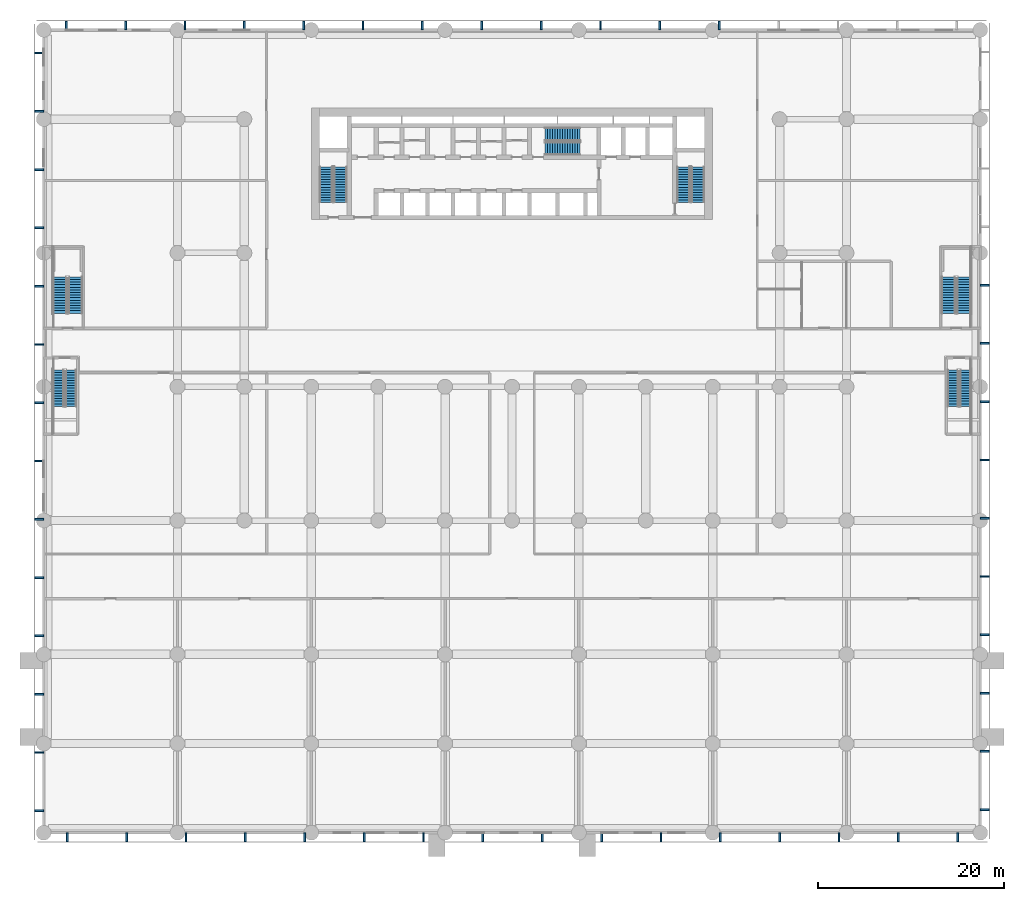
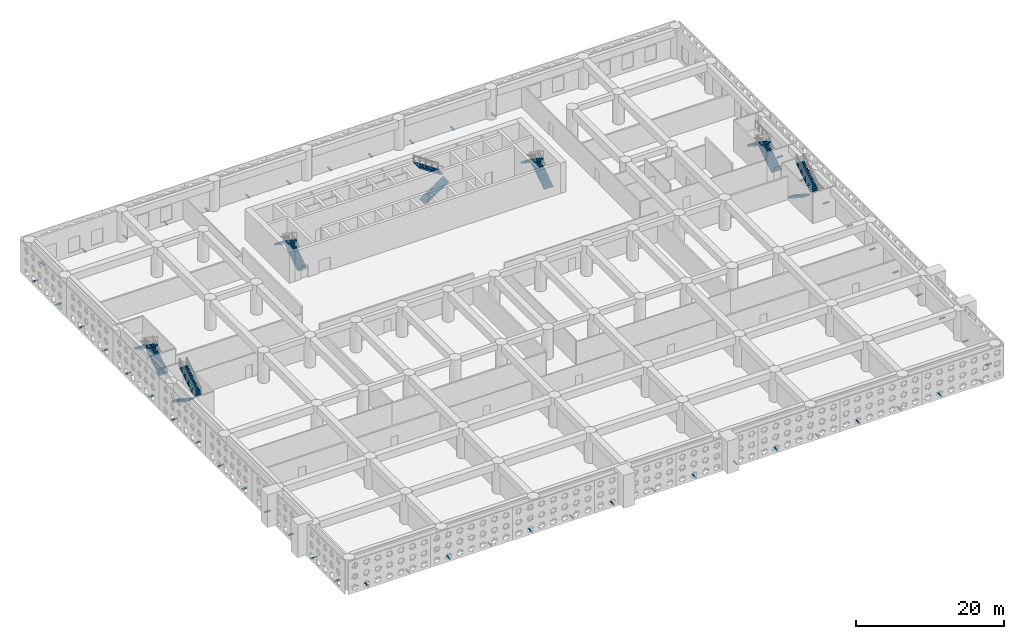
# One storey, part 11 of 30: 52 discrete accessories, 14 stair flights, 7 elements without a shape of their own.
"""IFC4 building model written with IfcOpenShell, lengths in metres."""

from ifc_helpers import new_model, si_unit, direction, frame, origin, origin_2d, place, context, subcontext, project, spatial, polyline, rectangle, outline, extrude, source, transform, mapped, material, layer, layer_set, type_object, element, aggregate, save


model = new_model("IFC4")

# Units and contexts
model_context = context("Model", 3, precision=1e-05, world=origin(), true_north=direction((0.0, 1.0)))
body_context = subcontext(model_context, "Body", "Model", "MODEL_VIEW")
ifc_project = project(units=[si_unit("LENGTHUNIT", "METRE"), si_unit("AREAUNIT", "SQUARE_METRE"), si_unit("VOLUMEUNIT", "CUBIC_METRE"), si_unit("PLANEANGLEUNIT", "RADIAN"), si_unit("MASSUNIT", "GRAM", prefix="KILO")], contexts=[model_context])

# Site, building, storey
site_placement = place(None, origin())
site = spatial("IfcSite", under=ifc_project, at=site_placement, CompositionType="ELEMENT")
building_placement = place(site_placement, origin())
building = spatial("IfcBuilding", under=site, at=building_placement, Name="Saffron Iwan Residences", CompositionType="ELEMENT")
storey_placement = place(building_placement, frame((0.0, 0.0, 7.800048828125)))
storey = spatial("IfcBuildingStorey", under=building, at=storey_placement, Name="L01", CompositionType="ELEMENT", Elevation=7.800048828125)

# Stair, stair flights
ifc_material_1 = material(Name="Concrete C40/50", Category="concrete")
stair_type_1 = type_object("IfcStairType", Name="Podium stair, reinforced concrete", PredefinedType="HALF_TURN_STAIR", material=ifc_material_1)
stair_1_placement = place(storey_placement, origin())
stair_1 = element("IfcStair", 1, at=stair_1_placement, inside=storey, type_object=stair_type_1, Name="L01 Podium Stair 1", PredefinedType="HALF_TURN_STAIR")
stair_flight_type_1 = type_object("IfcStairFlightType", Name="Podium stair flight, reinforced concrete", PredefinedType="STRAIGHT", material=ifc_material_1)
stair_flight_1_placement = place(storey_placement, frame((1.60009765625, 49.800048828125, 0.0), z_axis=(0.0, 0.0, 1.0), x_axis=(0.0, -1.0, 0.0)))
stair_flight_1 = element("IfcStairFlight", 2, at=stair_flight_1_placement, type_object=stair_flight_type_1, Name="PS1 flight 1", NumberOfRisers=15, NumberOfTreads=14, PredefinedType="STRAIGHT", RiserHeight=0.18, TreadLength=0.28, context=body_context, shape_type="SweptSolid", body=[
    extrude(outline(polyline([(0.0, 0.0), (0.0, 0.179931640625), (0.280029296875, 0.179931640625), (0.280029296875, 0.360107421875), (0.56005859375, 0.360107421875), (0.56005859375, 0.5400390625), (0.840087890625, 0.5400390625), (0.840087890625, 0.719970703125), (1.1201171875, 0.719970703125), (1.1201171875, 0.89990234375), (1.39990234375, 0.89990234375), (1.39990234375, 1.080078125), (1.679931640625, 1.080078125), (1.679931640625, 1.260009765625), (1.9599609375, 1.260009765625), (1.9599609375, 1.43994140625), (2.239990234375, 1.43994140625), (2.239990234375, 1.6201171875), (2.52001953125, 1.6201171875), (2.52001953125, 1.800048828125), (2.800048828125, 1.800048828125), (2.800048828125, 1.97998046875), (3.080078125, 1.97998046875), (3.080078125, 2.159912109375), (3.360107421875, 2.159912109375), (3.360107421875, 2.340087890625), (3.639892578125, 2.340087890625), (3.639892578125, 2.52001953125), (3.919921875, 2.52001953125), (3.919921875, 2.699951171875), (3.919921875, 2.341796875), (0.277099609375, 0.0), (0.0, 0.0)])), frame((0.0, 0.60009765625, 0.0), z_axis=(0.0, -1.0, 0.0), x_axis=(1.0, 0.0, 0.0)), (0.0, 0.0, 1.0), 1.199951171875),
])
stair_flight_2_placement = place(storey_placement, frame((2.949951171875, 45.8798828125, 2.699951171875), z_axis=(0.0, 0.0, 1.0), x_axis=(0.0, 1.0, 0.0)))
stair_flight_2 = element("IfcStairFlight", 3, at=stair_flight_2_placement, type_object=stair_flight_type_1, Name="PS1 flight 2", NumberOfRisers=15, NumberOfTreads=14, PredefinedType="STRAIGHT", RiserHeight=0.18, TreadLength=0.28, context=body_context, shape_type="SweptSolid", body=[
    extrude(outline(polyline([(0.0, 0.0), (0.0, 0.179931640625), (0.280029296875, 0.179931640625), (0.280029296875, 0.360107421875), (0.56005859375, 0.360107421875), (0.56005859375, 0.5400390625), (0.840087890625, 0.5400390625), (0.840087890625, 0.719970703125), (1.1201171875, 0.719970703125), (1.1201171875, 0.89990234375), (1.39990234375, 0.89990234375), (1.39990234375, 1.080078125), (1.679931640625, 1.080078125), (1.679931640625, 1.260009765625), (1.9599609375, 1.260009765625), (1.9599609375, 1.43994140625), (2.239990234375, 1.43994140625), (2.239990234375, 1.6201171875), (2.52001953125, 1.6201171875), (2.52001953125, 1.800048828125), (2.800048828125, 1.800048828125), (2.800048828125, 1.97998046875), (3.080078125, 1.97998046875), (3.080078125, 2.159912109375), (3.360107421875, 2.159912109375), (3.360107421875, 2.340087890625), (3.639892578125, 2.340087890625), (3.639892578125, 2.52001953125), (3.919921875, 2.52001953125), (3.919921875, 2.699951171875), (3.919921875, 2.341796875), (0.277099609375, 0.0), (0.0, 0.0)])), frame((0.0, 0.60009765625, 0.0), z_axis=(0.0, -1.0, 0.0), x_axis=(1.0, 0.0, 0.0)), (0.0, 0.0, 1.0), 1.199951171875),
])
aggregate(stair_1, [stair_flight_1, stair_flight_2])

stair_2_placement = place(storey_placement, origin())
stair_2 = element("IfcStair", 4, at=stair_2_placement, inside=storey, type_object=stair_type_1, Name="L01 Podium Stair 2", PredefinedType="HALF_TURN_STAIR")
stair_flight_3_placement = place(storey_placement, frame((97.85009765625, 49.800048828125, 0.0), z_axis=(0.0, 0.0, 1.0), x_axis=(0.0, -1.0, 0.0)))
stair_flight_3 = element("IfcStairFlight", 5, at=stair_flight_3_placement, type_object=stair_flight_type_1, Name="PS2 flight 1", NumberOfRisers=15, NumberOfTreads=14, PredefinedType="STRAIGHT", RiserHeight=0.18, TreadLength=0.28, context=body_context, shape_type="SweptSolid", body=[
    extrude(outline(polyline([(0.0, 0.0), (0.0, 0.179931640625), (0.280029296875, 0.179931640625), (0.280029296875, 0.360107421875), (0.56005859375, 0.360107421875), (0.56005859375, 0.5400390625), (0.840087890625, 0.5400390625), (0.840087890625, 0.719970703125), (1.1201171875, 0.719970703125), (1.1201171875, 0.89990234375), (1.39990234375, 0.89990234375), (1.39990234375, 1.080078125), (1.679931640625, 1.080078125), (1.679931640625, 1.260009765625), (1.9599609375, 1.260009765625), (1.9599609375, 1.43994140625), (2.239990234375, 1.43994140625), (2.239990234375, 1.6201171875), (2.52001953125, 1.6201171875), (2.52001953125, 1.800048828125), (2.800048828125, 1.800048828125), (2.800048828125, 1.97998046875), (3.080078125, 1.97998046875), (3.080078125, 2.159912109375), (3.360107421875, 2.159912109375), (3.360107421875, 2.340087890625), (3.639892578125, 2.340087890625), (3.639892578125, 2.52001953125), (3.919921875, 2.52001953125), (3.919921875, 2.699951171875), (3.919921875, 2.341796875), (0.277099609375, 0.0), (0.0, 0.0)])), frame((0.0, 0.60009765625, 0.0), z_axis=(0.0, -1.0, 0.0), x_axis=(1.0, 0.0, 0.0)), (0.0, 0.0, 1.0), 1.199951171875),
])
stair_flight_4_placement = place(storey_placement, frame((99.199951171875, 45.8798828125, 2.699951171875), z_axis=(0.0, 0.0, 1.0), x_axis=(0.0, 1.0, 0.0)))
stair_flight_4 = element("IfcStairFlight", 6, at=stair_flight_4_placement, type_object=stair_flight_type_1, Name="PS2 flight 2", NumberOfRisers=15, NumberOfTreads=14, PredefinedType="STRAIGHT", RiserHeight=0.18, TreadLength=0.28, context=body_context, shape_type="SweptSolid", body=[
    extrude(outline(polyline([(0.0, 0.0), (0.0, 0.179931640625), (0.280029296875, 0.179931640625), (0.280029296875, 0.360107421875), (0.56005859375, 0.360107421875), (0.56005859375, 0.5400390625), (0.840087890625, 0.5400390625), (0.840087890625, 0.719970703125), (1.1201171875, 0.719970703125), (1.1201171875, 0.89990234375), (1.39990234375, 0.89990234375), (1.39990234375, 1.080078125), (1.679931640625, 1.080078125), (1.679931640625, 1.260009765625), (1.9599609375, 1.260009765625), (1.9599609375, 1.43994140625), (2.239990234375, 1.43994140625), (2.239990234375, 1.6201171875), (2.52001953125, 1.6201171875), (2.52001953125, 1.800048828125), (2.800048828125, 1.800048828125), (2.800048828125, 1.97998046875), (3.080078125, 1.97998046875), (3.080078125, 2.159912109375), (3.360107421875, 2.159912109375), (3.360107421875, 2.340087890625), (3.639892578125, 2.340087890625), (3.639892578125, 2.52001953125), (3.919921875, 2.52001953125), (3.919921875, 2.699951171875), (3.919921875, 2.341796875), (0.277099609375, 0.0), (0.0, 0.0)])), frame((0.0, 0.60009765625, 0.0), z_axis=(0.0, -1.0, 0.0), x_axis=(1.0, 0.0, 0.0)), (0.0, 0.0, 1.0), 1.199951171875),
])
aggregate(stair_2, [stair_flight_3, stair_flight_4])

stair_3_placement = place(storey_placement, origin())
stair_3 = element("IfcStair", 7, at=stair_3_placement, inside=storey, type_object=stair_type_1, Name="L01 Podium Stair 3", PredefinedType="HALF_TURN_STAIR")
stair_flight_5_placement = place(storey_placement, frame((3.39990234375, 55.89990234375, 0.0), z_axis=(0.0, 0.0, 1.0), x_axis=(0.0, 1.0, 0.0)))
stair_flight_5 = element("IfcStairFlight", 8, at=stair_flight_5_placement, type_object=stair_flight_type_1, Name="PS3 flight 1", NumberOfRisers=15, NumberOfTreads=14, PredefinedType="STRAIGHT", RiserHeight=0.18, TreadLength=0.28, context=body_context, shape_type="SweptSolid", body=[
    extrude(outline(polyline([(0.0, 0.0), (0.0, 0.179931640625), (0.280029296875, 0.179931640625), (0.280029296875, 0.360107421875), (0.56005859375, 0.360107421875), (0.56005859375, 0.5400390625), (0.840087890625, 0.5400390625), (0.840087890625, 0.719970703125), (1.1201171875, 0.719970703125), (1.1201171875, 0.89990234375), (1.39990234375, 0.89990234375), (1.39990234375, 1.080078125), (1.679931640625, 1.080078125), (1.679931640625, 1.260009765625), (1.9599609375, 1.260009765625), (1.9599609375, 1.43994140625), (2.239990234375, 1.43994140625), (2.239990234375, 1.6201171875), (2.52001953125, 1.6201171875), (2.52001953125, 1.800048828125), (2.800048828125, 1.800048828125), (2.800048828125, 1.97998046875), (3.080078125, 1.97998046875), (3.080078125, 2.159912109375), (3.360107421875, 2.159912109375), (3.360107421875, 2.340087890625), (3.639892578125, 2.340087890625), (3.639892578125, 2.52001953125), (3.919921875, 2.52001953125), (3.919921875, 2.699951171875), (3.919921875, 2.341796875), (0.277099609375, 0.0), (0.0, 0.0)])), frame((0.0, 0.75, 0.0), z_axis=(0.0, -1.0, 0.0), x_axis=(1.0, 0.0, 0.0)), (0.0, 0.0, 1.0), 1.5),
])
stair_flight_6_placement = place(storey_placement, frame((1.75, 59.820068359375, 2.699951171875), z_axis=(0.0, 0.0, 1.0), x_axis=(0.0, -1.0, 0.0)))
stair_flight_6 = element("IfcStairFlight", 9, at=stair_flight_6_placement, type_object=stair_flight_type_1, Name="PS3 flight 2", NumberOfRisers=15, NumberOfTreads=14, PredefinedType="STRAIGHT", RiserHeight=0.18, TreadLength=0.28, context=body_context, shape_type="SweptSolid", body=[
    extrude(outline(polyline([(0.0, 0.0), (0.0, 0.179931640625), (0.280029296875, 0.179931640625), (0.280029296875, 0.360107421875), (0.56005859375, 0.360107421875), (0.56005859375, 0.5400390625), (0.840087890625, 0.5400390625), (0.840087890625, 0.719970703125), (1.1201171875, 0.719970703125), (1.1201171875, 0.89990234375), (1.39990234375, 0.89990234375), (1.39990234375, 1.080078125), (1.679931640625, 1.080078125), (1.679931640625, 1.260009765625), (1.9599609375, 1.260009765625), (1.9599609375, 1.43994140625), (2.239990234375, 1.43994140625), (2.239990234375, 1.6201171875), (2.52001953125, 1.6201171875), (2.52001953125, 1.800048828125), (2.800048828125, 1.800048828125), (2.800048828125, 1.97998046875), (3.080078125, 1.97998046875), (3.080078125, 2.159912109375), (3.360107421875, 2.159912109375), (3.360107421875, 2.340087890625), (3.639892578125, 2.340087890625), (3.639892578125, 2.52001953125), (3.919921875, 2.52001953125), (3.919921875, 2.699951171875), (3.919921875, 2.341796875), (0.277099609375, 0.0), (0.0, 0.0)])), frame((0.0, 0.75, 0.0), z_axis=(0.0, -1.0, 0.0), x_axis=(1.0, 0.0, 0.0)), (0.0, 0.0, 1.0), 1.5),
])
aggregate(stair_3, [stair_flight_5, stair_flight_6])

stair_4_placement = place(storey_placement, origin())
stair_4 = element("IfcStair", 10, at=stair_4_placement, inside=storey, type_object=stair_type_1, Name="L01 Podium Stair 4", PredefinedType="HALF_TURN_STAIR")
stair_flight_7_placement = place(storey_placement, frame((99.050048828125, 55.89990234375, 0.0), z_axis=(0.0, 0.0, 1.0), x_axis=(0.0, 1.0, 0.0)))
stair_flight_7 = element("IfcStairFlight", 11, at=stair_flight_7_placement, type_object=stair_flight_type_1, Name="PS4 flight 1", NumberOfRisers=15, NumberOfTreads=14, PredefinedType="STRAIGHT", RiserHeight=0.18, TreadLength=0.28, context=body_context, shape_type="SweptSolid", body=[
    extrude(outline(polyline([(0.0, 0.0), (0.0, 0.179931640625), (0.280029296875, 0.179931640625), (0.280029296875, 0.360107421875), (0.56005859375, 0.360107421875), (0.56005859375, 0.5400390625), (0.840087890625, 0.5400390625), (0.840087890625, 0.719970703125), (1.1201171875, 0.719970703125), (1.1201171875, 0.89990234375), (1.39990234375, 0.89990234375), (1.39990234375, 1.080078125), (1.679931640625, 1.080078125), (1.679931640625, 1.260009765625), (1.9599609375, 1.260009765625), (1.9599609375, 1.43994140625), (2.239990234375, 1.43994140625), (2.239990234375, 1.6201171875), (2.52001953125, 1.6201171875), (2.52001953125, 1.800048828125), (2.800048828125, 1.800048828125), (2.800048828125, 1.97998046875), (3.080078125, 1.97998046875), (3.080078125, 2.159912109375), (3.360107421875, 2.159912109375), (3.360107421875, 2.340087890625), (3.639892578125, 2.340087890625), (3.639892578125, 2.52001953125), (3.919921875, 2.52001953125), (3.919921875, 2.699951171875), (3.919921875, 2.341796875), (0.277099609375, 0.0), (0.0, 0.0)])), frame((0.0, 0.75, 0.0), z_axis=(0.0, -1.0, 0.0), x_axis=(1.0, 0.0, 0.0)), (0.0, 0.0, 1.0), 1.5),
])
stair_flight_8_placement = place(storey_placement, frame((97.39990234375, 59.820068359375, 2.699951171875), z_axis=(0.0, 0.0, 1.0), x_axis=(0.0, -1.0, 0.0)))
stair_flight_8 = element("IfcStairFlight", 12, at=stair_flight_8_placement, type_object=stair_flight_type_1, Name="PS4 flight 2", NumberOfRisers=15, NumberOfTreads=14, PredefinedType="STRAIGHT", RiserHeight=0.18, TreadLength=0.28, context=body_context, shape_type="SweptSolid", body=[
    extrude(outline(polyline([(0.0, 0.0), (0.0, 0.179931640625), (0.280029296875, 0.179931640625), (0.280029296875, 0.360107421875), (0.56005859375, 0.360107421875), (0.56005859375, 0.5400390625), (0.840087890625, 0.5400390625), (0.840087890625, 0.719970703125), (1.1201171875, 0.719970703125), (1.1201171875, 0.89990234375), (1.39990234375, 0.89990234375), (1.39990234375, 1.080078125), (1.679931640625, 1.080078125), (1.679931640625, 1.260009765625), (1.9599609375, 1.260009765625), (1.9599609375, 1.43994140625), (2.239990234375, 1.43994140625), (2.239990234375, 1.6201171875), (2.52001953125, 1.6201171875), (2.52001953125, 1.800048828125), (2.800048828125, 1.800048828125), (2.800048828125, 1.97998046875), (3.080078125, 1.97998046875), (3.080078125, 2.159912109375), (3.360107421875, 2.159912109375), (3.360107421875, 2.340087890625), (3.639892578125, 2.340087890625), (3.639892578125, 2.52001953125), (3.919921875, 2.52001953125), (3.919921875, 2.699951171875), (3.919921875, 2.341796875), (0.277099609375, 0.0), (0.0, 0.0)])), frame((0.0, 0.75, 0.0), z_axis=(0.0, -1.0, 0.0), x_axis=(1.0, 0.0, 0.0)), (0.0, 0.0, 1.0), 1.5),
])
aggregate(stair_4, [stair_flight_7, stair_flight_8])

ifc_material_2 = material(Name="Concrete C50/60", Category="concrete")
stair_type_2 = type_object("IfcStairType", Name="Stair ST-CORE", PredefinedType="HALF_TURN_STAIR", material=ifc_material_2)
stair_5_placement = place(storey_placement, origin())
stair_5 = element("IfcStair", 13, at=stair_5_placement, inside=storey, type_object=stair_type_2, Name="L01 Exit Stair ST-W", PredefinedType="HALF_TURN_STAIR")
ifc_layer = layer(ifc_material_2, 0.14990234375)
ifc_layer_set = layer_set([ifc_layer], Name="Concrete C50/60")
stair_flight_type_2 = type_object("IfcStairFlightType", Name="Stair flight SFL-RC", PredefinedType="STRAIGHT", material=ifc_layer_set)
stair_flight_9_placement = place(storey_placement, frame((31.949951171875, 67.85009765625, 0.0), z_axis=(0.0, 0.0, 1.0), x_axis=(0.0, 1.0, 0.0)))
stair_flight_9 = element("IfcStairFlight", 14, at=stair_flight_9_placement, type_object=stair_flight_type_2, Name="ST-W flight 1", NumberOfRisers=15, NumberOfTreads=14, PredefinedType="STRAIGHT", RiserHeight=0.18, TreadLength=0.27, context=body_context, shape_type="SweptSolid", body=[
    extrude(outline(polyline([(0.0, 0.0), (0.0, 0.179931640625), (0.27001953125, 0.179931640625), (0.27001953125, 0.360107421875), (0.5400390625, 0.360107421875), (0.5400390625, 0.5400390625), (0.81005859375, 0.5400390625), (0.81005859375, 0.719970703125), (1.080078125, 0.719970703125), (1.080078125, 0.89990234375), (1.35009765625, 0.89990234375), (1.35009765625, 1.080078125), (1.6201171875, 1.080078125), (1.6201171875, 1.260009765625), (1.889892578125, 1.260009765625), (1.889892578125, 1.43994140625), (2.159912109375, 1.43994140625), (2.159912109375, 1.6201171875), (2.429931640625, 1.6201171875), (2.429931640625, 1.800048828125), (2.699951171875, 1.800048828125), (2.699951171875, 1.97998046875), (2.969970703125, 1.97998046875), (2.969970703125, 2.159912109375), (3.239990234375, 2.159912109375), (3.239990234375, 2.340087890625), (3.510009765625, 2.340087890625), (3.510009765625, 2.52001953125), (3.780029296875, 2.52001953125), (3.780029296875, 2.699951171875), (3.780029296875, 2.33984375), (0.270263671875, 0.0), (0.0, 0.0)])), frame((0.0, 0.699951171875, 0.0), z_axis=(0.0, -1.0, 0.0), x_axis=(1.0, 0.0, 0.0)), (0.0, 0.0, 1.0), 1.39990234375),
])
stair_flight_10_placement = place(storey_placement, frame((30.39990234375, 71.6298828125, 2.699951171875), z_axis=(0.0, 0.0, 1.0), x_axis=(0.0, -1.0, 0.0)))
stair_flight_10 = element("IfcStairFlight", 15, at=stair_flight_10_placement, type_object=stair_flight_type_2, Name="ST-W flight 2", NumberOfRisers=15, NumberOfTreads=14, PredefinedType="STRAIGHT", RiserHeight=0.18, TreadLength=0.27, context=body_context, shape_type="SweptSolid", body=[
    extrude(outline(polyline([(0.0, 0.0), (0.0, 0.179931640625), (0.27001953125, 0.179931640625), (0.27001953125, 0.360107421875), (0.5400390625, 0.360107421875), (0.5400390625, 0.5400390625), (0.81005859375, 0.5400390625), (0.81005859375, 0.719970703125), (1.080078125, 0.719970703125), (1.080078125, 0.89990234375), (1.35009765625, 0.89990234375), (1.35009765625, 1.080078125), (1.6201171875, 1.080078125), (1.6201171875, 1.260009765625), (1.889892578125, 1.260009765625), (1.889892578125, 1.43994140625), (2.159912109375, 1.43994140625), (2.159912109375, 1.6201171875), (2.429931640625, 1.6201171875), (2.429931640625, 1.800048828125), (2.699951171875, 1.800048828125), (2.699951171875, 1.97998046875), (2.969970703125, 1.97998046875), (2.969970703125, 2.159912109375), (3.239990234375, 2.159912109375), (3.239990234375, 2.340087890625), (3.510009765625, 2.340087890625), (3.510009765625, 2.52001953125), (3.780029296875, 2.52001953125), (3.780029296875, 2.699951171875), (3.780029296875, 2.33984375), (0.270263671875, 0.0), (0.0, 0.0)])), frame((0.0, 0.699951171875, 0.0), z_axis=(0.0, -1.0, 0.0), x_axis=(1.0, 0.0, 0.0)), (0.0, 0.0, 1.0), 1.39990234375),
])
aggregate(stair_5, [stair_flight_9, stair_flight_10])

stair_6_placement = place(storey_placement, origin())
stair_6 = element("IfcStair", 16, at=stair_6_placement, inside=storey, type_object=stair_type_2, Name="L01 Exit Stair ST-C", PredefinedType="HALF_TURN_STAIR")
stair_flight_11_placement = place(storey_placement, frame((53.925048828125, 73.625, 0.0), z_axis=(0.0, 0.0, 1.0), x_axis=(1.0, 0.0, 0.0)))
stair_flight_11 = element("IfcStairFlight", 17, at=stair_flight_11_placement, type_object=stair_flight_type_2, Name="ST-C flight 1", NumberOfRisers=15, NumberOfTreads=14, PredefinedType="STRAIGHT", RiserHeight=0.18, TreadLength=0.27, context=body_context, shape_type="SweptSolid", body=[
    extrude(outline(polyline([(0.0, 0.0), (0.0, 0.179931640625), (0.27001953125, 0.179931640625), (0.27001953125, 0.360107421875), (0.5400390625, 0.360107421875), (0.5400390625, 0.5400390625), (0.81005859375, 0.5400390625), (0.81005859375, 0.719970703125), (1.080078125, 0.719970703125), (1.080078125, 0.89990234375), (1.35009765625, 0.89990234375), (1.35009765625, 1.080078125), (1.6201171875, 1.080078125), (1.6201171875, 1.260009765625), (1.889892578125, 1.260009765625), (1.889892578125, 1.43994140625), (2.159912109375, 1.43994140625), (2.159912109375, 1.6201171875), (2.429931640625, 1.6201171875), (2.429931640625, 1.800048828125), (2.699951171875, 1.800048828125), (2.699951171875, 1.97998046875), (2.969970703125, 1.97998046875), (2.969970703125, 2.159912109375), (3.239990234375, 2.159912109375), (3.239990234375, 2.340087890625), (3.510009765625, 2.340087890625), (3.510009765625, 2.52001953125), (3.780029296875, 2.52001953125), (3.780029296875, 2.699951171875), (3.780029296875, 2.33984375), (0.270263671875, 0.0), (0.0, 0.0)])), frame((0.0, 0.699951171875, 0.0), z_axis=(0.0, -1.0, 0.0), x_axis=(1.0, 0.0, 0.0)), (0.0, 0.0, 1.0), 1.39990234375),
])
stair_flight_12_placement = place(storey_placement, frame((57.705078125, 75.175048828125, 2.699951171875), z_axis=(0.0, 0.0, 1.0), x_axis=(-1.0, 0.0, 0.0)))
stair_flight_12 = element("IfcStairFlight", 18, at=stair_flight_12_placement, type_object=stair_flight_type_2, Name="ST-C flight 2", NumberOfRisers=15, NumberOfTreads=14, PredefinedType="STRAIGHT", RiserHeight=0.18, TreadLength=0.27, context=body_context, shape_type="SweptSolid", body=[
    extrude(outline(polyline([(0.0, 0.0), (0.0, 0.179931640625), (0.27001953125, 0.179931640625), (0.27001953125, 0.360107421875), (0.5400390625, 0.360107421875), (0.5400390625, 0.5400390625), (0.81005859375, 0.5400390625), (0.81005859375, 0.719970703125), (1.080078125, 0.719970703125), (1.080078125, 0.89990234375), (1.35009765625, 0.89990234375), (1.35009765625, 1.080078125), (1.6201171875, 1.080078125), (1.6201171875, 1.260009765625), (1.889892578125, 1.260009765625), (1.889892578125, 1.43994140625), (2.159912109375, 1.43994140625), (2.159912109375, 1.6201171875), (2.429931640625, 1.6201171875), (2.429931640625, 1.800048828125), (2.699951171875, 1.800048828125), (2.699951171875, 1.97998046875), (2.969970703125, 1.97998046875), (2.969970703125, 2.159912109375), (3.239990234375, 2.159912109375), (3.239990234375, 2.340087890625), (3.510009765625, 2.340087890625), (3.510009765625, 2.52001953125), (3.780029296875, 2.52001953125), (3.780029296875, 2.699951171875), (3.780029296875, 2.33984375), (0.270263671875, 0.0), (0.0, 0.0)])), frame((0.0, 0.699951171875, 0.0), z_axis=(0.0, -1.0, 0.0), x_axis=(1.0, 0.0, 0.0)), (0.0, 0.0, 1.0), 1.39990234375),
])
aggregate(stair_6, [stair_flight_11, stair_flight_12])

stair_7_placement = place(storey_placement, origin())
stair_7 = element("IfcStair", 19, at=stair_7_placement, inside=storey, type_object=stair_type_2, Name="L01 Exit Stair ST-E", PredefinedType="HALF_TURN_STAIR")
stair_flight_13_placement = place(storey_placement, frame((70.39990234375, 67.85009765625, 0.0), z_axis=(0.0, 0.0, 1.0), x_axis=(0.0, 1.0, 0.0)))
stair_flight_13 = element("IfcStairFlight", 20, at=stair_flight_13_placement, type_object=stair_flight_type_2, Name="ST-E flight 1", NumberOfRisers=15, NumberOfTreads=14, PredefinedType="STRAIGHT", RiserHeight=0.18, TreadLength=0.27, context=body_context, shape_type="SweptSolid", body=[
    extrude(outline(polyline([(0.0, 0.0), (0.0, 0.179931640625), (0.27001953125, 0.179931640625), (0.27001953125, 0.360107421875), (0.5400390625, 0.360107421875), (0.5400390625, 0.5400390625), (0.81005859375, 0.5400390625), (0.81005859375, 0.719970703125), (1.080078125, 0.719970703125), (1.080078125, 0.89990234375), (1.35009765625, 0.89990234375), (1.35009765625, 1.080078125), (1.6201171875, 1.080078125), (1.6201171875, 1.260009765625), (1.889892578125, 1.260009765625), (1.889892578125, 1.43994140625), (2.159912109375, 1.43994140625), (2.159912109375, 1.6201171875), (2.429931640625, 1.6201171875), (2.429931640625, 1.800048828125), (2.699951171875, 1.800048828125), (2.699951171875, 1.97998046875), (2.969970703125, 1.97998046875), (2.969970703125, 2.159912109375), (3.239990234375, 2.159912109375), (3.239990234375, 2.340087890625), (3.510009765625, 2.340087890625), (3.510009765625, 2.52001953125), (3.780029296875, 2.52001953125), (3.780029296875, 2.699951171875), (3.780029296875, 2.33984375), (0.270263671875, 0.0), (0.0, 0.0)])), frame((0.0, 0.699951171875, 0.0), z_axis=(0.0, -1.0, 0.0), x_axis=(1.0, 0.0, 0.0)), (0.0, 0.0, 1.0), 1.39990234375),
])
stair_flight_14_placement = place(storey_placement, frame((68.85009765625, 71.6298828125, 2.699951171875), z_axis=(0.0, 0.0, 1.0), x_axis=(0.0, -1.0, 0.0)))
stair_flight_14 = element("IfcStairFlight", 21, at=stair_flight_14_placement, type_object=stair_flight_type_2, Name="ST-E flight 2", NumberOfRisers=15, NumberOfTreads=14, PredefinedType="STRAIGHT", RiserHeight=0.18, TreadLength=0.27, context=body_context, shape_type="SweptSolid", body=[
    extrude(outline(polyline([(0.0, 0.0), (0.0, 0.179931640625), (0.27001953125, 0.179931640625), (0.27001953125, 0.360107421875), (0.5400390625, 0.360107421875), (0.5400390625, 0.5400390625), (0.81005859375, 0.5400390625), (0.81005859375, 0.719970703125), (1.080078125, 0.719970703125), (1.080078125, 0.89990234375), (1.35009765625, 0.89990234375), (1.35009765625, 1.080078125), (1.6201171875, 1.080078125), (1.6201171875, 1.260009765625), (1.889892578125, 1.260009765625), (1.889892578125, 1.43994140625), (2.159912109375, 1.43994140625), (2.159912109375, 1.6201171875), (2.429931640625, 1.6201171875), (2.429931640625, 1.800048828125), (2.699951171875, 1.800048828125), (2.699951171875, 1.97998046875), (2.969970703125, 1.97998046875), (2.969970703125, 2.159912109375), (3.239990234375, 2.159912109375), (3.239990234375, 2.340087890625), (3.510009765625, 2.340087890625), (3.510009765625, 2.52001953125), (3.780029296875, 2.52001953125), (3.780029296875, 2.699951171875), (3.780029296875, 2.33984375), (0.270263671875, 0.0), (0.0, 0.0)])), frame((0.0, 0.699951171875, 0.0), z_axis=(0.0, -1.0, 0.0), x_axis=(1.0, 0.0, 0.0)), (0.0, 0.0, 1.0), 1.39990234375),
])
aggregate(stair_7, [stair_flight_13, stair_flight_14])

# Discrete accessories
shared_shape = source(origin(), body_context, "Body", "SweptSolid", [
    extrude(rectangle(XDim=0.949951171875, YDim=0.199951171875, at=origin_2d()), origin(), (0.0, 0.0, 1.0), 0.199951171875),
])
for number, where, z_axis, x_axis, name in (
    (22, (2.54443359375, -0.47509765625, -0.2998046875), (0.0, 0.0, 1.0), (0.0, -1.0, 0.0), "Screen bracket L01 F0.0.0"),
    (23, (8.93310546875, -0.47509765625, -0.2998046875), (0.0, 0.0, 1.0), (0.0, -1.0, 0.0), "Screen bracket L01 F0.0.1"),
    (24, (15.322021484375, -0.47509765625, -0.2998046875), (0.0, 0.0, 1.0), (0.0, -1.0, 0.0), "Screen bracket L01 F0.1.0"),
    (25, (21.710693359375, -0.47509765625, -0.2998046875), (0.0, 0.0, 1.0), (0.0, -1.0, 0.0), "Screen bracket L01 F0.1.1"),
    (26, (28.099365234375, -0.47509765625, -0.2998046875), (0.0, 0.0, 1.0), (0.0, -1.0, 0.0), "Screen bracket L01 F0.2.0"),
    (27, (34.488037109375, -0.47509765625, -0.2998046875), (0.0, 0.0, 1.0), (0.0, -1.0, 0.0), "Screen bracket L01 F0.2.1"),
    (28, (40.876953125, -0.47509765625, -0.2998046875), (0.0, 0.0, 1.0), (0.0, -1.0, 0.0), "Screen bracket L01 F0.3.0"),
    (29, (47.265625, -0.47509765625, -0.2998046875), (0.0, 0.0, 1.0), (0.0, -1.0, 0.0), "Screen bracket L01 F0.3.1"),
    (30, (53.654296875, -0.47509765625, -0.2998046875), (0.0, 0.0, 1.0), (0.0, -1.0, 0.0), "Screen bracket L01 F0.4.0"),
    (31, (60.043212890625, -0.47509765625, -0.2998046875), (0.0, 0.0, 1.0), (0.0, -1.0, 0.0), "Screen bracket L01 F0.4.1"),
    (32, (66.431884765625, -0.47509765625, -0.2998046875), (0.0, 0.0, 1.0), (0.0, -1.0, 0.0), "Screen bracket L01 F0.5.0"),
    (33, (72.820556640625, -0.47509765625, -0.2998046875), (0.0, 0.0, 1.0), (0.0, -1.0, 0.0), "Screen bracket L01 F0.5.1"),
    (34, (79.20947265625, -0.47509765625, -0.2998046875), (0.0, 0.0, 1.0), (0.0, -1.0, 0.0), "Screen bracket L01 F0.6.0"),
    (35, (85.59814453125, -0.47509765625, -0.2998046875), (0.0, 0.0, 1.0), (0.0, -1.0, 0.0), "Screen bracket L01 F0.6.1"),
    (36, (91.98681640625, -0.47509765625, -0.2998046875), (0.0, 0.0, 1.0), (0.0, -1.0, 0.0), "Screen bracket L01 F0.7.0"),
    (37, (98.37548828125, -0.47509765625, -0.2998046875), (0.0, 0.0, 1.0), (0.0, -1.0, 0.0), "Screen bracket L01 F0.7.1"),
    (38, (101.27490234375, 2.486328125, -0.2998046875), (0.0, 0.0, 1.0), (1.0, 0.0, 0.0), "Screen bracket L01 F1.0.0"),
    (39, (101.27490234375, 8.75927734375, -0.2998046875), (0.0, 0.0, 1.0), (1.0, 0.0, 0.0), "Screen bracket L01 F1.0.1"),
    (40, (101.27490234375, 15.031982421875, -0.2998046875), (0.0, 0.0, 1.0), (1.0, 0.0, 0.0), "Screen bracket L01 F1.1.0"),
    (41, (101.27490234375, 21.304931640625, -0.2998046875), (0.0, 0.0, 1.0), (1.0, 0.0, 0.0), "Screen bracket L01 F1.1.1"),
    (42, (101.27490234375, 27.577880859375, -0.2998046875), (0.0, 0.0, 1.0), (1.0, 0.0, 0.0), "Screen bracket L01 F1.2.0"),
    (43, (101.27490234375, 33.8505859375, -0.2998046875), (0.0, 0.0, 1.0), (1.0, 0.0, 0.0), "Screen bracket L01 F1.2.1"),
    (44, (101.27490234375, 40.12353515625, -0.2998046875), (0.0, 0.0, 1.0), (1.0, 0.0, 0.0), "Screen bracket L01 F1.3.0"),
    (45, (101.27490234375, 46.396484375, -0.2998046875), (0.0, 0.0, 1.0), (1.0, 0.0, 0.0), "Screen bracket L01 F1.3.1"),
    (46, (101.27490234375, 52.669189453125, -0.2998046875), (0.0, 0.0, 1.0), (1.0, 0.0, 0.0), "Screen bracket L01 F1.4.0"),
    (47, (101.27490234375, 58.942138671875, -0.2998046875), (0.0, 0.0, 1.0), (1.0, 0.0, 0.0), "Screen bracket L01 F1.4.1"),
    (48, (72.70068359375, 86.875, -0.2998046875), (0.0, 0.0, 1.0), (0.0, 1.0, 0.0), "Screen bracket L01 F2.2.0"),
    (49, (66.31201171875, 86.875, -0.2998046875), (0.0, 0.0, 1.0), (0.0, 1.0, 0.0), "Screen bracket L01 F2.2.1"),
    (50, (59.923095703125, 86.875, -0.2998046875), (0.0, 0.0, 1.0), (0.0, 1.0, 0.0), "Screen bracket L01 F2.3.0"),
    (51, (53.534423828125, 86.875, -0.2998046875), (0.0, 0.0, 1.0), (0.0, 1.0, 0.0), "Screen bracket L01 F2.3.1"),
    (52, (47.1455078125, 86.875, -0.2998046875), (0.0, 0.0, 1.0), (0.0, 1.0, 0.0), "Screen bracket L01 F2.4.0"),
    (53, (40.7568359375, 86.875, -0.2998046875), (0.0, 0.0, 1.0), (0.0, 1.0, 0.0), "Screen bracket L01 F2.4.1"),
    (54, (34.3681640625, 86.875, -0.2998046875), (0.0, 0.0, 1.0), (0.0, 1.0, 0.0), "Screen bracket L01 F2.5.0"),
    (55, (27.9794921875, 86.875, -0.2998046875), (0.0, 0.0, 1.0), (0.0, 1.0, 0.0), "Screen bracket L01 F2.5.1"),
    (56, (21.590576171875, 86.875, -0.2998046875), (0.0, 0.0, 1.0), (0.0, 1.0, 0.0), "Screen bracket L01 F2.6.0"),
    (57, (15.201904296875, 86.875, -0.2998046875), (0.0, 0.0, 1.0), (0.0, 1.0, 0.0), "Screen bracket L01 F2.6.1"),
    (58, (8.81298828125, 86.875, -0.2998046875), (0.0, 0.0, 1.0), (0.0, 1.0, 0.0), "Screen bracket L01 F2.7.0"),
    (59, (2.42431640625, 86.875, -0.2998046875), (0.0, 0.0, 1.0), (0.0, 1.0, 0.0), "Screen bracket L01 F2.7.1"),
    (60, (-0.47509765625, 83.91357421875, -0.2998046875), (0.0, 0.0, 1.0), (-1.0, 0.0, 0.0), "Screen bracket L01 F3.0.0"),
    (61, (-0.47509765625, 77.640625, -0.2998046875), (0.0, 0.0, 1.0), (-1.0, 0.0, 0.0), "Screen bracket L01 F3.0.1"),
    (62, (-0.47509765625, 71.367919921875, -0.2998046875), (0.0, 0.0, 1.0), (-1.0, 0.0, 0.0), "Screen bracket L01 F3.1.0"),
    (63, (-0.47509765625, 65.094970703125, -0.2998046875), (0.0, 0.0, 1.0), (-1.0, 0.0, 0.0), "Screen bracket L01 F3.1.1"),
    (64, (-0.47509765625, 58.822021484375, -0.2998046875), (0.0, 0.0, 1.0), (-1.0, 0.0, 0.0), "Screen bracket L01 F3.2.0"),
    (65, (-0.47509765625, 52.54931640625, -0.2998046875), (0.0, 0.0, 1.0), (-1.0, 0.0, 0.0), "Screen bracket L01 F3.2.1"),
    (66, (-0.47509765625, 46.2763671875, -0.2998046875), (0.0, 0.0, 1.0), (-1.0, 0.0, 0.0), "Screen bracket L01 F3.3.0"),
    (67, (-0.47509765625, 40.003662109375, -0.2998046875), (0.0, 0.0, 1.0), (-1.0, 0.0, 0.0), "Screen bracket L01 F3.3.1"),
    (68, (-0.47509765625, 33.730712890625, -0.2998046875), (0.0, 0.0, 1.0), (-1.0, 0.0, 0.0), "Screen bracket L01 F3.4.0"),
    (69, (-0.47509765625, 27.4580078125, -0.2998046875), (0.0, 0.0, 1.0), (-1.0, 0.0, 0.0), "Screen bracket L01 F3.4.1"),
    (70, (-0.47509765625, 21.18505859375, -0.2998046875), (0.0, 0.0, 1.0), (-1.0, 0.0, 0.0), "Screen bracket L01 F3.5.0"),
    (71, (-0.47509765625, 14.912109375, -0.2998046875), (0.0, 0.0, 1.0), (-1.0, 0.0, 0.0), "Screen bracket L01 F3.5.1"),
    (72, (-0.47509765625, 8.639404296875, -0.2998046875), (0.0, 0.0, 1.0), (-1.0, 0.0, 0.0), "Screen bracket L01 F3.6.0"),
    (73, (-0.47509765625, 2.366455078125, -0.2998046875), (0.0, 0.0, 1.0), (-1.0, 0.0, 0.0), "Screen bracket L01 F3.6.1"),
):
    element("IfcDiscreteAccessory", number, at=place(storey_placement, frame(where, z_axis=z_axis, x_axis=x_axis)), inside=storey, Name=name, PredefinedType="BRACKET", context=body_context, shape_type="MappedRepresentation", body=[
        mapped(shared_shape, transform((0.0, 0.0, 0.0))),
    ])

save(model, "model.ifc")
